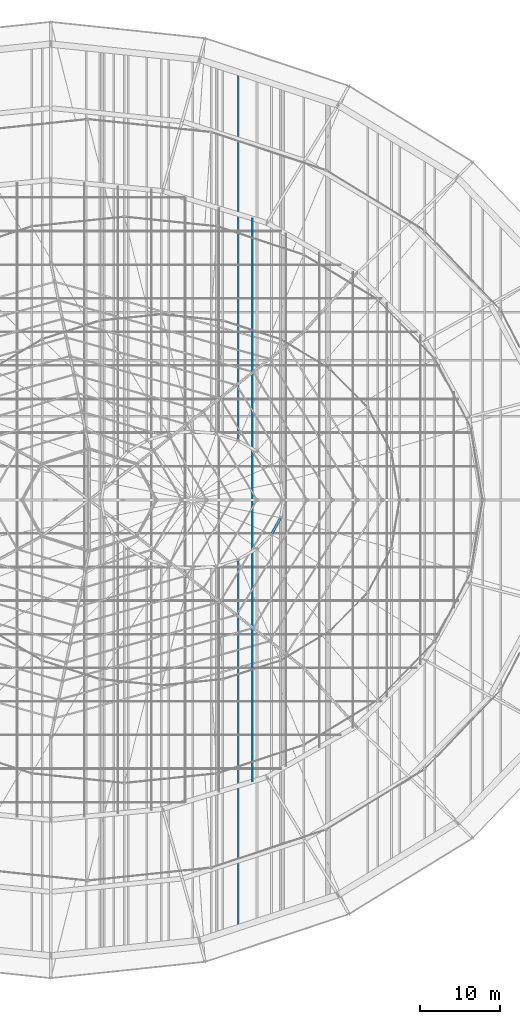
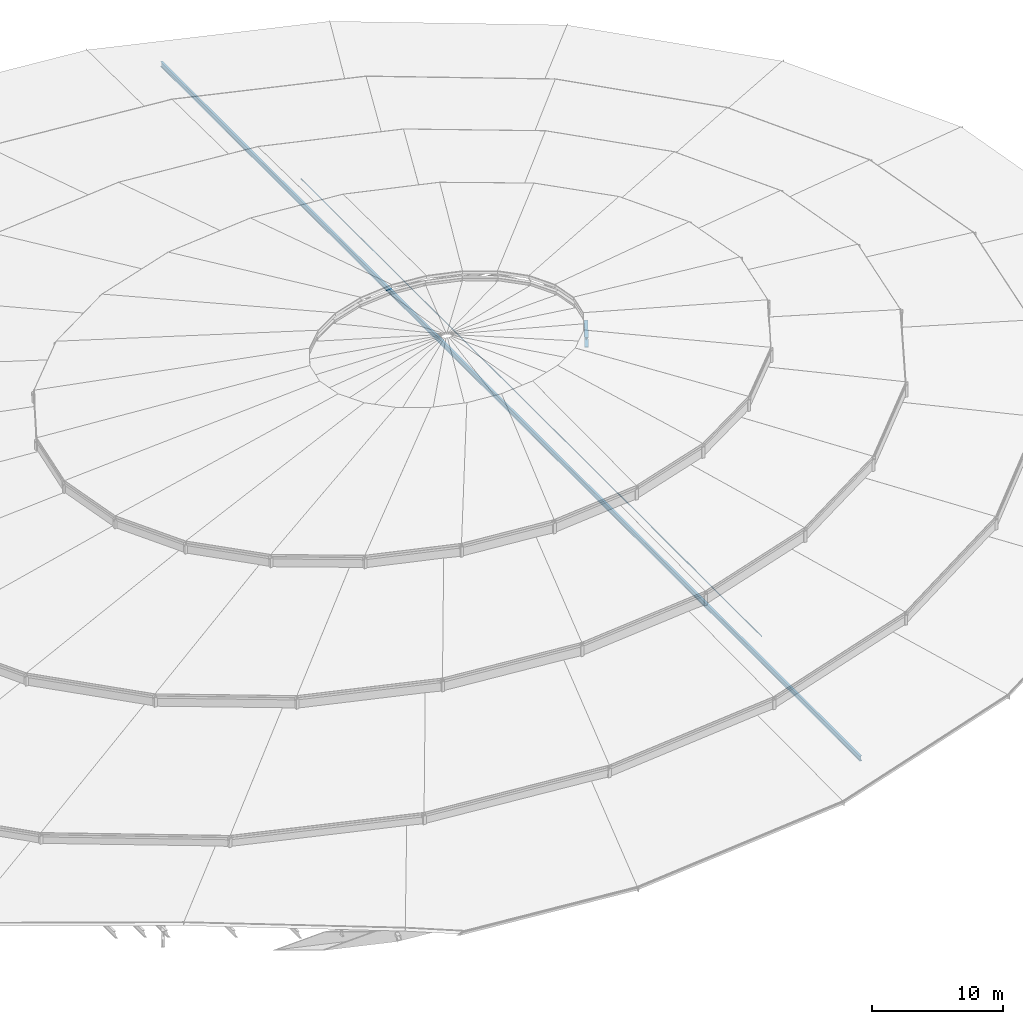
# One storey, part 78 of 184: 2 members, 1 beam.
"""IFC4 building model written with IfcOpenShell, lengths in metres."""

import ifcopenshell
import ifcopenshell.guid

model = None  # the IFC model being written
_history = None  # IfcOwnerHistory: only IFC2X3 demands one
_inside = {}  # id of a spatial element -> (the spatial element, [elements in it])
_under = {}  # id of a project, library or spatial element -> (it, [spatial elements below it])
_declared = {}  # id of a project -> (the project, [libraries it declares])
_typed = {}  # id of a type object -> (the type object, [elements of that type])
_made_of = {}  # id of a material, layer set ... -> (it, [elements and type objects made of it])


def new_model(schema):
    """Start an empty IFC model of exactly this schema.

    Asked for "IFC4X3", IfcOpenShell would pick the latest addendum, in which some entities
    have other attributes; the version numbers below select the first issue.
    IFC2X3 requires an IfcOwnerHistory on every rooted entity: one is made here for all.
    """
    global model, _history
    if schema == "IFC4X3":
        model = ifcopenshell.file(schema_version=(4, 3, 0, 0))
    else:
        model = ifcopenshell.file(schema=schema)
    _inside.clear()
    _under.clear()
    _declared.clear()
    _typed.clear()
    _made_of.clear()
    _history = None
    if model.schema == "IFC2X3":
        org = make("IfcOrganization", Name="unknown")
        user = make(
            "IfcPersonAndOrganization",
            ThePerson=make("IfcPerson", FamilyName="unknown"),
            TheOrganization=org,
        )
        app = make(
            "IfcApplication",
            ApplicationDeveloper=org,
            Version="unknown",
            ApplicationFullName="unknown",
            ApplicationIdentifier="unknown",
        )
        _history = make(
            "IfcOwnerHistory",
            OwningUser=user,
            OwningApplication=app,
            ChangeAction="ADDED",
            CreationDate=0,
        )
    return model


def make(cls, **values):
    """One entity of the class cls with the attributes given. An attribute that is None is left unset."""
    return model.create_entity(
        cls, **{name: value for name, value in values.items() if value is not None}
    )


def rooted(cls, **values):
    """An entity with a GlobalId (a new one), such as an element, a storey or a relation."""
    return make(cls, GlobalId=ifcopenshell.guid.new(), OwnerHistory=_history, **values)


def si_unit(unit_type, name, prefix=None):
    """IfcSIUnit, for example si_unit("LENGTHUNIT", "METRE", prefix="MILLI")."""
    return make("IfcSIUnit", UnitType=unit_type, Prefix=prefix, Name=name)


def assignment(units):
    """IfcUnitAssignment: the units of a project."""
    return None if units is None else make("IfcUnitAssignment", Units=units)


def point(xyz):
    """IfcCartesianPoint."""
    return None if xyz is None else make("IfcCartesianPoint", Coordinates=xyz)


def direction(xyz):
    """IfcDirection."""
    return None if xyz is None else make("IfcDirection", DirectionRatios=xyz)


def frame(location, z_axis=None, x_axis=None):
    """IfcAxis2Placement3D, a coordinate frame: its origin and axes. An axis left out is left unset."""
    return make(
        "IfcAxis2Placement3D",
        Location=point(location),
        Axis=direction(z_axis),
        RefDirection=direction(x_axis),
    )


def frame_2d(location, x_axis=None):
    """IfcAxis2Placement2D, a coordinate frame in the plane: its origin and x axis."""
    return make(
        "IfcAxis2Placement2D", Location=point(location), RefDirection=direction(x_axis)
    )


def origin():
    """The frame at (0, 0, 0) with its axes left unset."""
    return frame((0.0, 0.0, 0.0))


def origin_2d():
    """The frame at (0, 0) in the plane with its x axis left unset."""
    return frame_2d((0.0, 0.0))


def place(relative_to, where):
    """IfcLocalPlacement: puts the frame where relative to a parent placement (None: the world)."""
    return make(
        "IfcLocalPlacement", PlacementRelTo=relative_to, RelativePlacement=where
    )


def context(
    kind, dimensions, precision=None, world=None, true_north=None, identifier=None
):
    """IfcGeometricRepresentationContext, for example the 3D "Model" context."""
    return make(
        "IfcGeometricRepresentationContext",
        ContextIdentifier=identifier,
        ContextType=kind,
        CoordinateSpaceDimension=dimensions,
        Precision=precision,
        WorldCoordinateSystem=world,
        TrueNorth=true_north,
    )


def subcontext(parent, identifier, kind, view, scale=None):
    """IfcGeometricRepresentationSubContext, for example "Body" below "Model"."""
    return make(
        "IfcGeometricRepresentationSubContext",
        ContextIdentifier=identifier,
        ContextType=kind,
        ParentContext=parent,
        TargetScale=scale,
        TargetView=view,
    )


def project(units=None, contexts=None):
    """IfcProject with its units and contexts."""
    return rooted(
        "IfcProject",
        Name="project",
        RepresentationContexts=contexts,
        UnitsInContext=assignment(units),
    )


def spatial(cls, under=None, at=None, **own):
    """A site, building, storey or space (cls), placed at a placement, below another one or the project."""
    s = rooted(cls, ObjectPlacement=at, **own)
    if under is not None:
        _under.setdefault(under.id(), (under, []))[1].append(s)
    return s


def profile(cls, at=None, kind="AREA", **sizes):
    """A parametric profile (cls). Its sizes go by their IFC names, for example OverallWidth=200.0."""
    return make(cls, ProfileType=kind, Position=at, **sizes)


def circle(**sizes):
    """IfcCircleProfileDef."""
    return profile("IfcCircleProfileDef", **sizes)


def i_section(**sizes):
    """IfcIShapeProfileDef."""
    return profile("IfcIShapeProfileDef", **sizes)


def extrude(swept, where, along, depth):
    """IfcExtrudedAreaSolid: the profile swept, set in the frame where, extruded along a direction by depth."""
    return make(
        "IfcExtrudedAreaSolid",
        SweptArea=swept,
        Position=where,
        ExtrudedDirection=direction(along),
        Depth=depth,
    )


def shape(context_of_items, identifier, shape_type, items):
    """IfcShapeRepresentation: the items that make up one representation, for example the "Body"."""
    return make(
        "IfcShapeRepresentation",
        ContextOfItems=context_of_items,
        RepresentationIdentifier=identifier,
        RepresentationType=shape_type,
        Items=items,
    )


def material(Name=None, Category=None):
    """IfcMaterial."""
    return make("IfcMaterial", Name=Name, Category=Category)


def material_profile(
    of_material, cross_section, Name=None, Category=None, Priority=None
):
    """IfcMaterialProfile: a cross section and its material."""
    return make(
        "IfcMaterialProfile",
        Name=Name,
        Material=of_material,
        Profile=cross_section,
        Priority=Priority,
        Category=Category,
    )


def profile_set(profiles, Name=None, composite=None):
    """IfcMaterialProfileSet."""
    return make(
        "IfcMaterialProfileSet",
        Name=Name,
        MaterialProfiles=profiles,
        CompositeProfile=composite,
    )


def made_of(thing, what):
    """Note that an element or type object is made of a material, layer set ...; save() writes the relation."""
    if what is not None:
        _made_of.setdefault(what.id(), (what, []))[1].append(thing)
    return thing


def type_object(cls, material=None, **own):
    """A type object (cls), such as IfcWallType, which elements share."""
    return made_of(rooted(cls, **own), material)


def element(
    cls,
    number,
    at=None,
    inside=None,
    cuts=None,
    type_object=None,
    material=None,
    context=None,
    identifier="Body",
    shape_type=None,
    held_by="IfcProductDefinitionShape",
    body=None,
    shapes=None,
    **own,
):
    """One element of the class cls, such as IfcWall. Its Tag is "e" and its number.

    at: its placement. inside: the storey or other place that contains it. cuts: it is an
    opening in that element (IfcRelVoidsElement). A single representation is given by context,
    identifier, shape_type and body (its items); several are given by shapes. held_by: the class
    of the entity that holds the representations. save() writes the other relations.
    """
    e = rooted(cls, Tag="e%d" % number, ObjectPlacement=at, **own)
    if body is not None:
        shapes = [shape(context, identifier, shape_type, body)]
    if shapes is not None:
        e.Representation = make(held_by, Representations=shapes)
    if inside is not None:
        _inside.setdefault(inside.id(), (inside, []))[1].append(e)
    if cuts is not None:
        rooted(
            "IfcRelVoidsElement", RelatingBuildingElement=cuts, RelatedOpeningElement=e
        )
    if type_object is not None:
        _typed.setdefault(type_object.id(), (type_object, []))[1].append(e)
    return made_of(e, material)


def aggregate(whole, parts):
    """IfcRelAggregates: a whole, such as a stair, and the parts it consists of."""
    return rooted("IfcRelAggregates", RelatingObject=whole, RelatedObjects=parts)


def save(model, path):
    """Write the relations noted so far, then the file.

    IfcRelAggregates (storeys below a building ...), IfcRelContainedInSpatialStructure (elements
    in a storey), IfcRelDefinesByType, IfcRelAssociatesMaterial and IfcRelDeclares: one each for
    every whole, place, type object, material and project.
    """
    for whole, parts in _under.values():
        aggregate(whole, parts)
    for where, things in _inside.values():
        rooted(
            "IfcRelContainedInSpatialStructure",
            RelatedElements=things,
            RelatingStructure=where,
        )
    for kind, things in _typed.values():
        rooted("IfcRelDefinesByType", RelatedObjects=things, RelatingType=kind)
    for what, things in _made_of.values():
        rooted("IfcRelAssociatesMaterial", RelatedObjects=things, RelatingMaterial=what)
    for by, libraries in _declared.values():
        rooted("IfcRelDeclares", RelatingContext=by, RelatedDefinitions=libraries)
    model.write(path)


model = new_model("IFC4")

# Units and contexts
model_context = context("Model", 3, precision=1e-05, world=origin(), true_north=direction((0.0, 1.0)))
body_context = subcontext(model_context, "Body", "Model", "MODEL_VIEW")
ifc_project = project(units=[si_unit("LENGTHUNIT", "METRE"), si_unit("AREAUNIT", "SQUARE_METRE"), si_unit("VOLUMEUNIT", "CUBIC_METRE"), si_unit("PLANEANGLEUNIT", "RADIAN"), si_unit("MASSUNIT", "GRAM", prefix="KILO")], contexts=[model_context])

# Site, building, storey
site_placement = place(None, origin())
site = spatial("IfcSite", under=ifc_project, at=site_placement, CompositionType="ELEMENT")
building_placement = place(site_placement, origin())
building = spatial("IfcBuilding", under=site, at=building_placement, Name="Kalgoora Escarpment Arena", CompositionType="ELEMENT")
storey_placement = place(building_placement, frame((0.0, 0.0, 27.60009765625)))
storey = spatial("IfcBuildingStorey", under=building, at=storey_placement, Name="Roof Level", CompositionType="ELEMENT", Elevation=27.60009765625)

# Beam
ifc_material_1 = material(Name="Structural steel Grade 350 (350 MPa)", Category="steel")
ifc_material_profile_1 = material_profile(ifc_material_1, i_section(OverallWidth=0.300048828125, OverallDepth=0.909912109375, WebThickness=0.011962890625, FlangeThickness=0.028076171875, at=origin_2d()))
ifc_profile_set_1 = profile_set([ifc_material_profile_1], Name="Structural steel Grade 350 (350 MPa)")
beam_type = type_object("IfcBeamType", Name="BM-HUB-RING", PredefinedType="USERDEFINED", material=ifc_profile_set_1)
beam_placement = place(storey_placement, frame((119.982666015625, 59.699951171875, 6.64990234375), z_axis=(0.481300781759, 0.876555507357, 0.0), x_axis=(-0.876555507357, 0.481300781759, 0.0)))
element("IfcBeam", 1, at=beam_placement, inside=storey, type_object=beam_type, Name="Crown oculus tension RING BEAM chord 23", ObjectType="GIRDER", PredefinedType="USERDEFINED", context=body_context, shape_type="SweptSolid", body=[
    extrude(i_section(OverallWidth=0.300048828125, OverallDepth=0.909912109375, WebThickness=0.011962890625, FlangeThickness=0.028076171875, at=origin_2d()), origin(), (0.0, 0.0, 1.0), 2.3662109375),
])

# Members
ifc_material_2 = material(Name="High-tensile spiral strand steel Grade 450 (350 MPa)", Category="steel")
ifc_material_profile_2 = material_profile(ifc_material_2, circle(Radius=0.028076171875, at=origin_2d()))
ifc_profile_set_2 = profile_set([ifc_material_profile_2], Name="High-tensile spiral strand steel Grade 450 (350 MPa)")
member_type_1 = type_object("IfcMemberType", Name="MEM-CABLE-56", PredefinedType="USERDEFINED", material=ifc_profile_set_2)
member_1_placement = place(storey_placement, frame((117.60009765625, 28.806640625, -1.190185546875), z_axis=(0.0, 1.0, 0.0), x_axis=(-1.0, 0.0, 0.0)))
element("IfcMember", 2, at=member_1_placement, inside=storey, type_object=member_type_1, Name="Roof saddle pretensioning cable Y-36", ObjectType="CABLE", PredefinedType="USERDEFINED", context=body_context, shape_type="SweptSolid", body=[
    extrude(circle(Radius=0.028076171875, at=origin_2d()), origin(), (0.0, 0.0, 1.0), 70.38671875),
])
ifc_material_3 = material(Name="Structural steel AS/NZS 3679 (300 MPa)", Category="steel")
ifc_material_profile_3 = material_profile(ifc_material_3, i_section(OverallWidth=0.19091796875, OverallDepth=0.4599609375, WebThickness=0.010009765625, FlangeThickness=0.01611328125, at=origin_2d()))
ifc_profile_set_3 = profile_set([ifc_material_profile_3], Name="Structural steel AS/NZS 3679 (300 MPa)")
member_type_2 = type_object("IfcMemberType", Name="MEM-CARRIER-CHORD", PredefinedType="CHORD", material=ifc_profile_set_3)
member_2_placement = place(storey_placement, frame((115.81005859375, 10.529296875, -0.900146484375), z_axis=(0.0, 1.0, 0.0), x_axis=(-1.0, 0.0, 0.0)))
element("IfcMember", 3, at=member_2_placement, inside=storey, type_object=member_type_2, Name="Crown dome spanning carrier chord C05", PredefinedType="CHORD", context=body_context, shape_type="SweptSolid", body=[
    extrude(i_section(OverallWidth=0.19091796875, OverallDepth=0.4599609375, WebThickness=0.010009765625, FlangeThickness=0.01611328125, at=origin_2d()), origin(), (0.0, 0.0, 1.0), 106.94140625),
])

save(model, "model.ifc")
